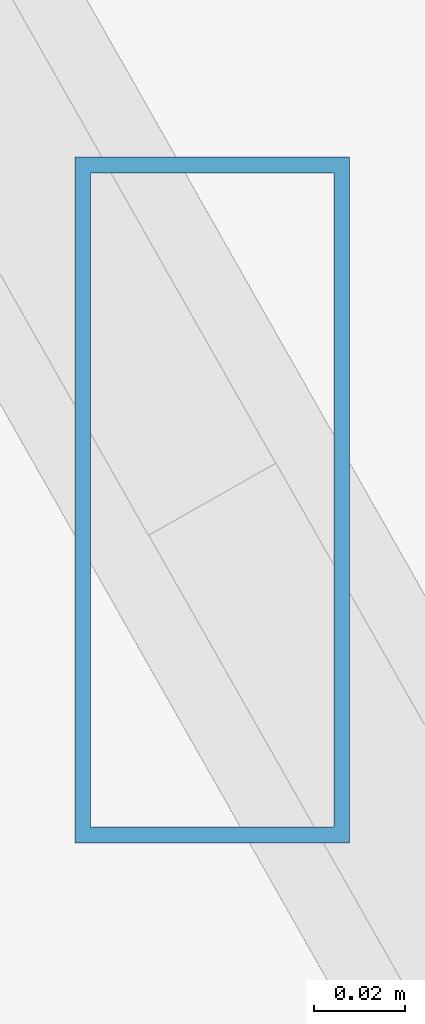
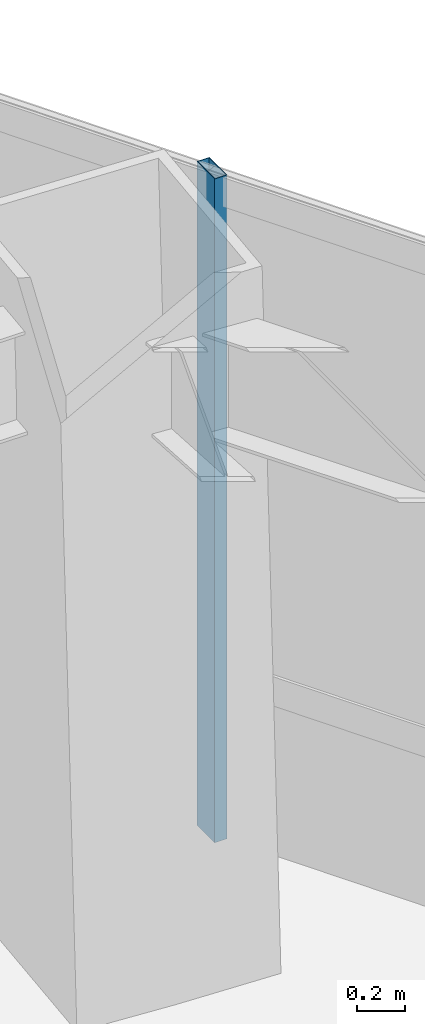
# One storey, part 34 of 42: 1 member, 1 element without a shape of its own.
"""IFC4 building model written with IfcOpenShell, lengths in metres."""

from ifc_helpers import new_model, si_unit, direction, frame, origin, origin_2d, place, context, subcontext, project, spatial, hollow_rectangle, extrude, source, transform, mapped, material, material_profile, profile_set, type_object, type_shapes, element, aggregate, save


model = new_model("IFC4")

# Units and contexts
model_context = context("Model", 3, precision=1e-05, world=origin(), true_north=direction((0.0, 1.0)))
body_context = subcontext(model_context, "Body", "Model", "MODEL_VIEW")
ifc_project = project(units=[si_unit("LENGTHUNIT", "METRE"), si_unit("AREAUNIT", "SQUARE_METRE"), si_unit("VOLUMEUNIT", "CUBIC_METRE"), si_unit("PLANEANGLEUNIT", "RADIAN"), si_unit("MASSUNIT", "GRAM", prefix="KILO")], contexts=[model_context])

# Site, building, storey
site_placement = place(None, origin())
site = spatial("IfcSite", under=ifc_project, at=site_placement, CompositionType="ELEMENT")
building_placement = place(site_placement, origin())
building = spatial("IfcBuilding", under=site, at=building_placement, Name="Caelisora Broadcast Tower", CompositionType="ELEMENT")
storey_placement = place(building_placement, frame((0.0, 0.0, 131.800048828125)))
storey = spatial("IfcBuildingStorey", under=building, at=storey_placement, Name="L34", CompositionType="ELEMENT", Elevation=131.800048828125)

# Curtain wall, member
ifc_material_1 = material(Name="Unitised Aluminium and Low-E Glass Curtain Wall", Category="glass")
curtain_wall_type = type_object("IfcCurtainWallType", Name="CW-Z3", PredefinedType="NOTDEFINED", material=ifc_material_1)
curtain_wall_placement = place(storey_placement, origin())
curtain_wall = element("IfcCurtainWall", 1, at=curtain_wall_placement, inside=storey, type_object=curtain_wall_type, Name="L34 curtain wall CW-Z3", PredefinedType="NOTDEFINED")
ifc_material_2 = material(Name="Aluminium 6063-T6 Anodised Terracotta Bronze", Category="aluminium")
ifc_material_profile = material_profile(ifc_material_2, hollow_rectangle(XDim=0.06005859375, YDim=0.14990234375, WallThickness=0.00341796875, at=origin_2d()), Name="Aluminium 6063-T6 Anodised Terracotta Bronze")
ifc_profile_set = profile_set([ifc_material_profile], Name="Aluminium 6063-T6 Anodised Terracotta Bronze")
member_type = type_object("IfcMemberType", Name="CWM-03", PredefinedType="MULLION", material=ifc_profile_set)
shared_shape = source(origin(), body_context, "Body", "SweptSolid", [
    extrude(hollow_rectangle(XDim=0.06005859375, YDim=0.14990234375, WallThickness=0.00341796875, at=origin_2d()), origin(), (0.0, 0.0, 1.0), 3.39990234375),
])
type_shapes(member_type, [shared_shape])
member_placement = place(storey_placement, frame((45.534912109375, 47.000244140625, 0.0), z_axis=(0.0, 0.0, 1.0), x_axis=(1.0, 0.0, 0.0)))
member = element("IfcMember", 2, at=member_placement, type_object=member_type, Name="L34-CW-B01 mullion #1", PredefinedType="MULLION", context=body_context, shape_type="MappedRepresentation", body=[
    mapped(shared_shape, transform((0.0, 0.0, 0.0), scale=1.0)),
])
aggregate(curtain_wall, [member])

save(model, "model.ifc")
